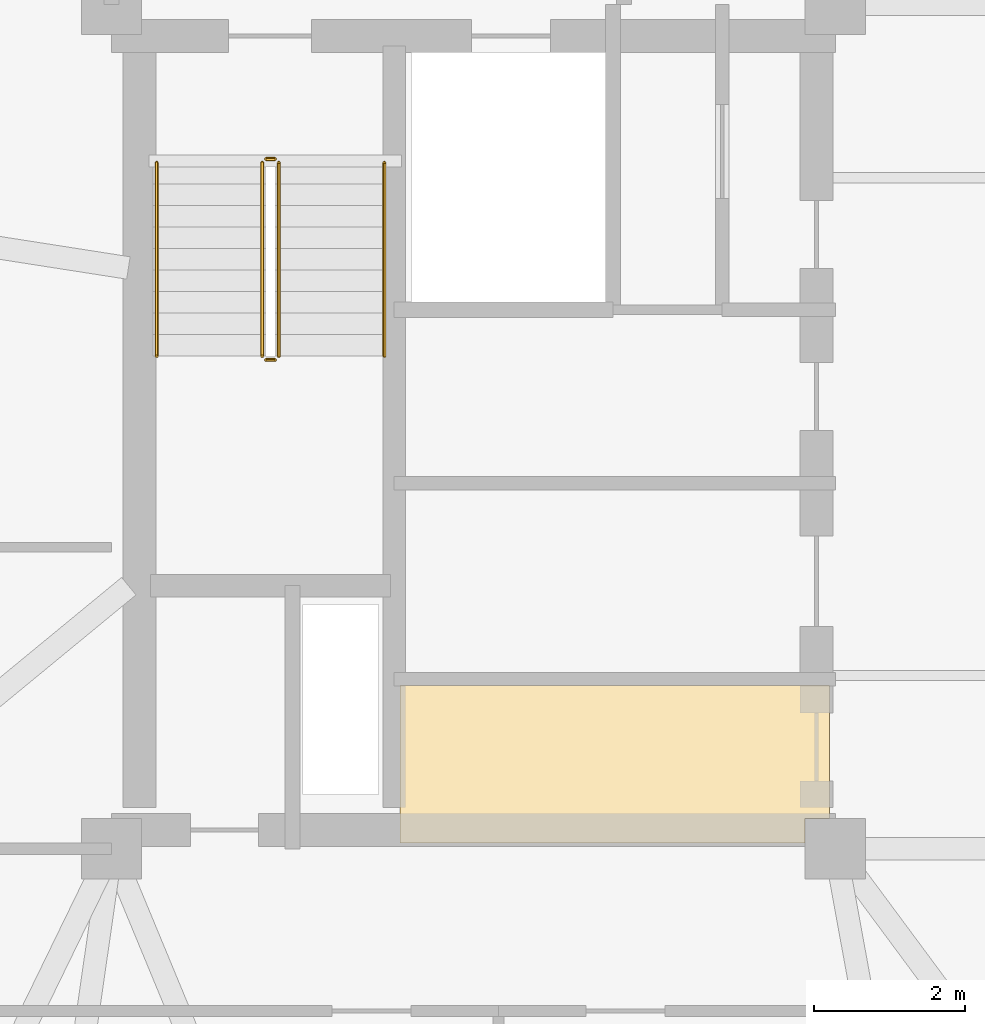
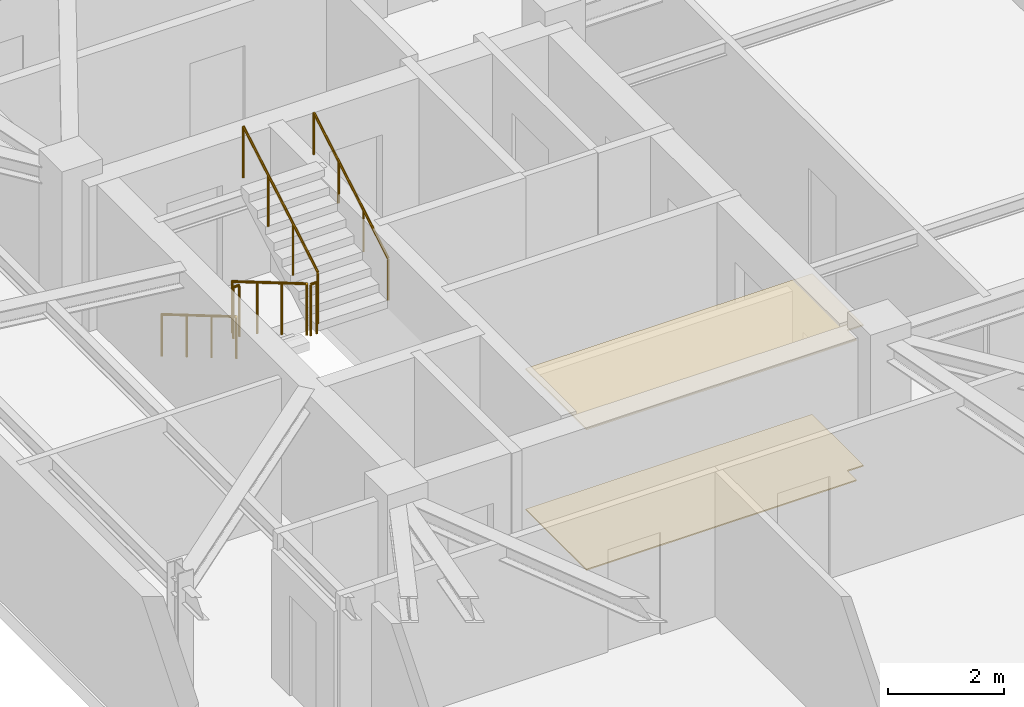
# One storey, part 9 of 10: 6 railings, 2 coverings.
"""IFC4 building model written with IfcOpenShell, lengths in metres."""

from ifc_helpers import new_model, si_unit, direction, frame, origin, origin_2d, place, context, subcontext, project, spatial, polyline, circle, outline, extrude, material, layer, layer_set, type_object, element, save


model = new_model("IFC4")

# Units and contexts
model_context = context("Model", 3, precision=1e-05, world=origin(), true_north=direction((0.0, 1.0)))
body_context = subcontext(model_context, "Body", "Model", "MODEL_VIEW")
ifc_project = project(units=[si_unit("LENGTHUNIT", "METRE"), si_unit("AREAUNIT", "SQUARE_METRE"), si_unit("VOLUMEUNIT", "CUBIC_METRE"), si_unit("PLANEANGLEUNIT", "RADIAN"), si_unit("MASSUNIT", "GRAM", prefix="KILO")], contexts=[model_context])

# Site, building, storey
site_placement = place(None, origin())
site = spatial("IfcSite", under=ifc_project, at=site_placement, CompositionType="ELEMENT")
building_placement = place(site_placement, origin())
building = spatial("IfcBuilding", under=site, at=building_placement, Name="Qobustan Lattice House", CompositionType="ELEMENT")
storey_placement = place(building_placement, frame((0.0, 0.0, 235.0)))
storey = spatial("IfcBuildingStorey", under=building, at=storey_placement, Name="L66", CompositionType="ELEMENT", Elevation=235.0)

# Coverings
ifc_material_1 = material(Name="Perforated gypsum acoustic ceiling", Category="gypsum")
ifc_layer_1 = layer(ifc_material_1, 0.030029296875)
ifc_layer_set_1 = layer_set([ifc_layer_1], Name="Perforated gypsum acoustic ceiling")
covering_type_1 = type_object("IfcCoveringType", Name="COV-ACOUSTIC-CEIL", PredefinedType="CEILING", material=ifc_layer_set_1)
covering_1_placement = place(storey_placement, frame((0.0, 0.0, 2.949951171875)))
element("IfcCovering", 1, at=covering_1_placement, inside=storey, type_object=covering_type_1, Name="L66 Collaborative study lounge acoustic ceiling", PredefinedType="CEILING", context=body_context, shape_type="SweptSolid", body=[
    extrude(outline(polyline([(-14.969970703125, -3.429931640625), (-14.969970703125, -5.52001953125), (-9.60205078125, -5.52001953125), (-9.60205078125, -5.197998046875), (-9.280029296875, -5.197998046875), (-9.280029296875, -3.429931640625), (-14.969970703125, -3.429931640625)])), origin(), (0.0, 0.0, 1.0), 0.030029296875),
])
ifc_material_2 = material(Name="Honed Absheron stone terrazzo flooring", Category="masonry")
ifc_layer_2 = layer(ifc_material_2, 0.02490234375)
ifc_layer_set_2 = layer_set([ifc_layer_2], Name="Honed Absheron stone terrazzo flooring")
covering_type_2 = type_object("IfcCoveringType", Name="COV-TERRAZZO-FLR", PredefinedType="FLOORING", material=ifc_layer_set_2)
covering_2_placement = place(storey_placement, origin())
element("IfcCovering", 2, at=covering_2_placement, inside=storey, type_object=covering_type_2, Name="L66 Collaborative study lounge stone terrazzo flooring", PredefinedType="FLOORING", context=body_context, shape_type="SweptSolid", body=[
    extrude(outline(polyline([(-14.969970703125, -3.429931640625), (-14.969970703125, -5.52001953125), (-9.60205078125, -5.52001953125), (-9.60205078125, -5.197998046875), (-9.280029296875, -5.197998046875), (-9.280029296875, -3.429931640625), (-14.969970703125, -3.429931640625)])), origin(), (0.0, 0.0, 1.0), 0.02490234375),
])

# Railings
ifc_material_3 = material(Name="Brushed stainless steel handrail", Category="steel")
railing_type_1 = type_object("IfcRailingType", Name="RAL-HR-920", PredefinedType="HANDRAIL", material=ifc_material_3)
railing_1_placement = place(storey_placement, frame((-18.199951171875, 3.5, 0.16748046875)))
element("IfcRailing", 3, at=railing_1_placement, inside=storey, type_object=railing_type_1, Name="L66 ST-W1 stair handrail 1", PredefinedType="HANDRAIL", context=body_context, shape_type="SweptSolid", body=[
    extrude(circle(Radius=0.02392578125, at=origin_2d()), frame((0.0, 0.0, 0.8759765625), z_axis=(0.0, -0.862113467892, 0.50671527358), x_axis=(1.0, 0.0, 0.0)), (0.0, 0.0, 1.0), 2.97509765625),
    extrude(circle(Radius=0.02099609375, at=origin_2d()), origin(), (0.0, 0.0, 1.0), 0.851806640625),
    extrude(circle(Radius=0.02099609375, at=origin_2d()), frame((0.0, -0.85498046875, 0.50244140625)), (0.0, 0.0, 1.0), 0.851806640625),
    extrude(circle(Radius=0.02099609375, at=origin_2d()), frame((0.0, -1.7099609375, 1.005126953125)), (0.0, 0.0, 1.0), 0.851806640625),
    extrude(circle(Radius=0.02099609375, at=origin_2d()), frame((0.0, -2.56494140625, 1.507568359375)), (0.0, 0.0, 1.0), 0.851806640625),
])
railing_2_placement = place(storey_placement, frame((-15.179931640625, 0.93505859375, 1.842529296875)))
element("IfcRailing", 4, at=railing_2_placement, inside=storey, type_object=railing_type_1, Name="L66 ST-W1 stair handrail 2", PredefinedType="HANDRAIL", context=body_context, shape_type="SweptSolid", body=[
    extrude(circle(Radius=0.02392578125, at=origin_2d()), frame((0.0, 0.0, 0.8759765625), z_axis=(0.0, 0.862113467892, 0.50671527358), x_axis=(-1.0, 0.0, 0.0)), (0.0, 0.0, 1.0), 2.97509765625),
    extrude(circle(Radius=0.02099609375, at=origin_2d()), origin(), (0.0, 0.0, 1.0), 0.851806640625),
    extrude(circle(Radius=0.02099609375, at=origin_2d()), frame((0.0, 0.85498046875, 0.50244140625)), (0.0, 0.0, 1.0), 0.851806640625),
    extrude(circle(Radius=0.02099609375, at=origin_2d()), frame((0.0, 1.7099609375, 1.005126953125)), (0.0, 0.0, 1.0), 0.851806640625),
    extrude(circle(Radius=0.02099609375, at=origin_2d()), frame((0.0, 2.56494140625, 1.507568359375)), (0.0, 0.0, 1.0), 0.851806640625),
])
ifc_material_4 = material(Name="Painted galvanized steel guardrail", Category="steel")
railing_type_2 = type_object("IfcRailingType", Name="RAL-STG-1150", PredefinedType="GUARDRAIL", material=ifc_material_4)
railing_3_placement = place(storey_placement, frame((-16.800048828125, 3.5, 0.16748046875)))
element("IfcRailing", 5, at=railing_3_placement, inside=storey, type_object=railing_type_2, Name="L66 ST-W1 stair guard 1", PredefinedType="GUARDRAIL", context=body_context, shape_type="SweptSolid", body=[
    extrude(circle(Radius=0.02392578125, at=origin_2d()), frame((0.0, 0.0, 1.076171875), z_axis=(0.0, -0.862113467892, 0.50671527358), x_axis=(1.0, 0.0, 0.0)), (0.0, 0.0, 1.0), 2.97509765625),
    extrude(circle(Radius=0.02099609375, at=origin_2d()), origin(), (0.0, 0.0, 1.0), 1.052001953125),
    extrude(circle(Radius=0.02099609375, at=origin_2d()), frame((0.0, -0.85498046875, 0.50244140625)), (0.0, 0.0, 1.0), 1.052001953125),
    extrude(circle(Radius=0.02099609375, at=origin_2d()), frame((0.0, -1.7099609375, 1.005126953125)), (0.0, 0.0, 1.0), 1.052001953125),
    extrude(circle(Radius=0.02099609375, at=origin_2d()), frame((0.0, -2.56494140625, 1.507568359375)), (0.0, 0.0, 1.0), 1.052001953125),
])
railing_4_placement = place(storey_placement, frame((-16.75, 0.885009765625, 1.675048828125)))
element("IfcRailing", 6, at=railing_4_placement, inside=storey, type_object=railing_type_2, Name="L66 ST-W1 stair guard 2", PredefinedType="GUARDRAIL", context=body_context, shape_type="SweptSolid", body=[
    extrude(circle(Radius=0.02392578125, at=origin_2d()), frame((0.0, 0.0, 1.076171875), z_axis=(1.0, 0.0, 0.0), x_axis=(0.0, 1.0, 0.0)), (0.0, 0.0, 1.0), 0.1201171875),
    extrude(circle(Radius=0.02099609375, at=origin_2d()), origin(), (0.0, 0.0, 1.0), 1.052001953125),
    extrude(circle(Radius=0.02099609375, at=origin_2d()), frame((0.1201171875, 0.0, 0.0)), (0.0, 0.0, 1.0), 1.052001953125),
])
railing_5_placement = place(storey_placement, frame((-16.580078125, 0.93505859375, 1.842529296875)))
element("IfcRailing", 7, at=railing_5_placement, inside=storey, type_object=railing_type_2, Name="L66 ST-W1 stair guard 3", PredefinedType="GUARDRAIL", context=body_context, shape_type="SweptSolid", body=[
    extrude(circle(Radius=0.02392578125, at=origin_2d()), frame((0.0, 0.0, 1.076171875), z_axis=(0.0, 0.862113467892, 0.50671527358), x_axis=(-1.0, 0.0, 0.0)), (0.0, 0.0, 1.0), 2.97509765625),
    extrude(circle(Radius=0.02099609375, at=origin_2d()), origin(), (0.0, 0.0, 1.0), 1.052001953125),
    extrude(circle(Radius=0.02099609375, at=origin_2d()), frame((0.0, 0.85498046875, 0.50244140625)), (0.0, 0.0, 1.0), 1.052001953125),
    extrude(circle(Radius=0.02099609375, at=origin_2d()), frame((0.0, 1.7099609375, 1.005126953125)), (0.0, 0.0, 1.0), 1.052001953125),
    extrude(circle(Radius=0.02099609375, at=origin_2d()), frame((0.0, 2.56494140625, 1.507568359375)), (0.0, 0.0, 1.0), 1.052001953125),
])
railing_6_placement = place(storey_placement, frame((-16.75, 3.550048828125, 0.0)))
element("IfcRailing", 8, at=railing_6_placement, inside=storey, type_object=railing_type_2, Name="L66 ST-W1 stair guard 4", PredefinedType="GUARDRAIL", context=body_context, shape_type="SweptSolid", body=[
    extrude(circle(Radius=0.02392578125, at=origin_2d()), frame((0.0, 0.0, 1.076171875), z_axis=(1.0, 0.0, 0.0), x_axis=(0.0, 1.0, 0.0)), (0.0, 0.0, 1.0), 0.1201171875),
    extrude(circle(Radius=0.02099609375, at=origin_2d()), origin(), (0.0, 0.0, 1.0), 1.052001953125),
    extrude(circle(Radius=0.02099609375, at=origin_2d()), frame((0.1201171875, 0.0, 0.0)), (0.0, 0.0, 1.0), 1.052001953125),
])

save(model, "model.ifc")
